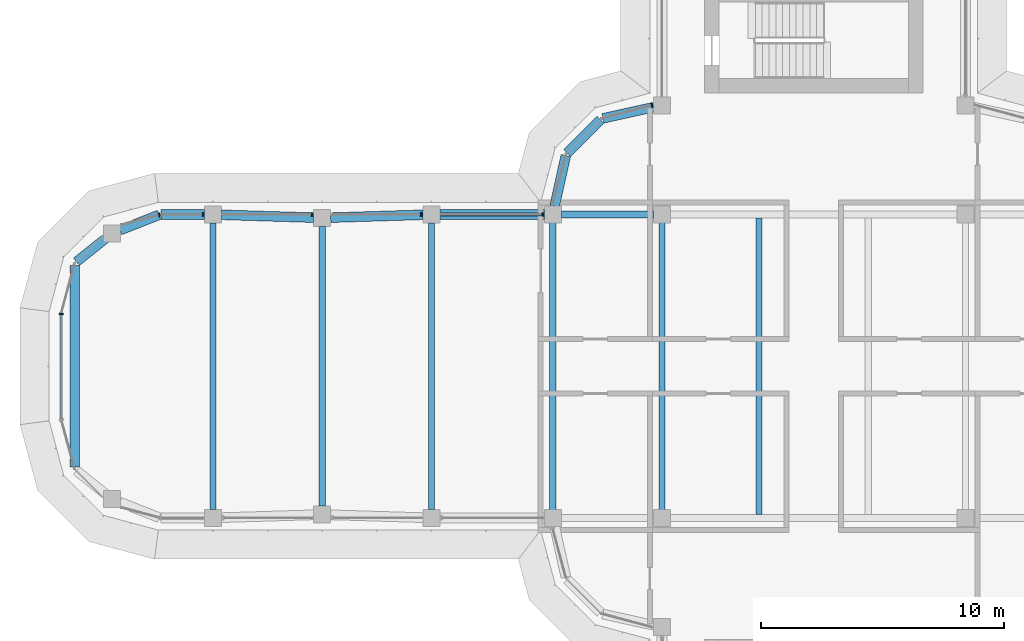
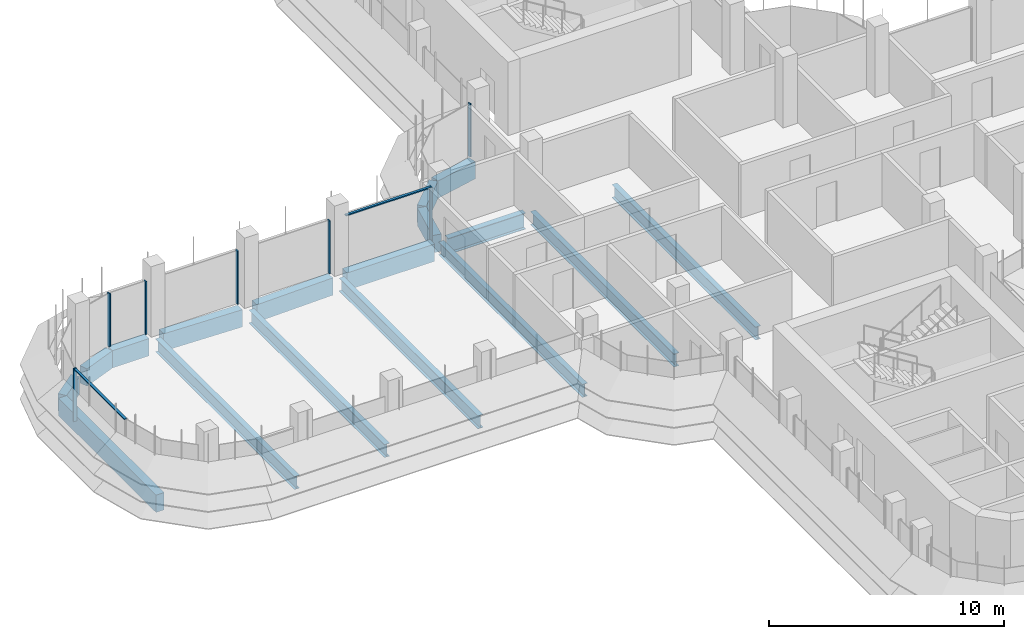
# One storey, part 6 of 19: 17 beams, 9 members, 4 elements without a shape of their own.
"""IFC4 building model written with IfcOpenShell, lengths in metres."""

from ifc_helpers import new_model, si_unit, direction, frame, origin, origin_2d, place, context, subcontext, project, spatial, polyline, rectangle, i_section, outline, extrude, source, transform, mapped, material, material_profile, profile_set, type_object, element, aggregate, save


model = new_model("IFC4")

# Units and contexts
model_context = context("Model", 3, precision=1e-05, world=origin(), true_north=direction((0.0, 1.0)))
body_context = subcontext(model_context, "Body", "Model", "MODEL_VIEW")
ifc_project = project(units=[si_unit("LENGTHUNIT", "METRE"), si_unit("AREAUNIT", "SQUARE_METRE"), si_unit("VOLUMEUNIT", "CUBIC_METRE"), si_unit("PLANEANGLEUNIT", "RADIAN"), si_unit("MASSUNIT", "GRAM", prefix="KILO")], contexts=[model_context])

# Site, building, storey
site_placement = place(None, origin())
site = spatial("IfcSite", under=ifc_project, at=site_placement, CompositionType="ELEMENT")
building_placement = place(site_placement, origin())
building = spatial("IfcBuilding", under=site, at=building_placement, Name="Zarbagh Exchange Tower", CompositionType="ELEMENT")
storey_placement = place(building_placement, frame((0.0, 0.0, 241.0)))
storey = spatial("IfcBuildingStorey", under=building, at=storey_placement, Name="L59", CompositionType="ELEMENT", Elevation=241.0)

# Beams
ifc_material_1 = material(Name="Steel ASTM A992 Gr 50", Category="steel")
ifc_material_profile_1 = material_profile(ifc_material_1, i_section(OverallWidth=0.25390625, OverallDepth=0.67822265625, WebThickness=0.01171875, FlangeThickness=0.016357421875, at=origin_2d()), Name="W27X84")
ifc_profile_set_1 = profile_set([ifc_material_profile_1], Name="Steel ASTM A992 Gr 50")
beam_type_1 = type_object("IfcBeamType", Name="Floor beam W27X84", PredefinedType="BEAM", material=ifc_profile_set_1)
for number, where, z_axis, x_axis, name in (
    (1, (-10.75, -6.10400390625, -0.489013671875), (0.0, 1.0, 0.0), (-1.0, 0.0, 0.0), "Steel floor beam"),
    (2, (-6.25, -6.10400390625, -0.489013671875), (0.0, 1.0, 0.0), (-1.0, 0.0, 0.0), "Steel floor beam"),
    (3, (-2.25, -6.10400390625, -0.489013671875), (0.0, 1.0, 0.0), (-1.0, 0.0, 0.0), "Steel floor beam"),
):
    element("IfcBeam", number, at=place(storey_placement, frame(where, z_axis=z_axis, x_axis=x_axis)), inside=storey, type_object=beam_type_1, Name=name, PredefinedType="BEAM", context=body_context, shape_type="SweptSolid", body=[
        extrude(i_section(OverallWidth=0.25390625, OverallDepth=0.67822265625, WebThickness=0.01171875, FlangeThickness=0.016357421875, at=origin_2d()), origin(), (0.0, 0.0, 1.0), 12.2080078125),
    ])
beam_1_placement = place(storey_placement, frame((-15.75, -5.89990234375, -0.489013671875), z_axis=(0.0, 1.0, 0.0), x_axis=(-1.0, 0.0, 0.0)))
element("IfcBeam", 4, at=beam_1_placement, inside=storey, type_object=beam_type_1, Name="Steel floor beam", PredefinedType="BEAM", context=body_context, shape_type="SweptSolid", body=[
    extrude(i_section(OverallWidth=0.25390625, OverallDepth=0.67822265625, WebThickness=0.01171875, FlangeThickness=0.016357421875, at=origin_2d()), origin(), (0.0, 0.0, 1.0), 11.7998046875),
])
beam_2_placement = place(storey_placement, frame((-20.25, -5.760009765625, -0.489013671875), z_axis=(0.0, 1.0, 0.0), x_axis=(-1.0, 0.0, 0.0)))
element("IfcBeam", 5, at=beam_2_placement, inside=storey, type_object=beam_type_1, Name="Steel floor beam", PredefinedType="BEAM", context=body_context, shape_type="SweptSolid", body=[
    extrude(i_section(OverallWidth=0.25390625, OverallDepth=0.67822265625, WebThickness=0.01171875, FlangeThickness=0.016357421875, at=origin_2d()), origin(), (0.0, 0.0, 1.0), 11.52001953125),
])
beam_3_placement = place(storey_placement, frame((-24.75, -5.89990234375, -0.489013671875), z_axis=(0.0, 1.0, 0.0), x_axis=(-1.0, 0.0, 0.0)))
element("IfcBeam", 6, at=beam_3_placement, inside=storey, type_object=beam_type_1, Name="Steel floor beam", PredefinedType="BEAM", context=body_context, shape_type="SweptSolid", body=[
    extrude(i_section(OverallWidth=0.25390625, OverallDepth=0.67822265625, WebThickness=0.01171875, FlangeThickness=0.016357421875, at=origin_2d()), origin(), (0.0, 0.0, 1.0), 11.7998046875),
])
ifc_material_profile_2 = material_profile(ifc_material_1, i_section(OverallWidth=0.2919921875, OverallDepth=0.835693359375, WebThickness=0.013916015625, FlangeThickness=0.018798828125, at=origin_2d()), Name="W33X118")
ifc_profile_set_2 = profile_set([ifc_material_profile_2], Name="Steel ASTM A992 Gr 50")
beam_type_2 = type_object("IfcBeamType", Name="Floor girder W33X118", PredefinedType="BEAM", material=ifc_profile_set_2)
beam_4_placement = place(storey_placement, frame((-10.39990234375, 6.25, -0.56787109375), z_axis=(1.0, 0.0, 0.0), x_axis=(0.0, 1.0, 0.0)))
element("IfcBeam", 7, at=beam_4_placement, inside=storey, type_object=beam_type_2, Name="Steel girder", PredefinedType="BEAM", context=body_context, shape_type="SweptSolid", body=[
    extrude(i_section(OverallWidth=0.2919921875, OverallDepth=0.835693359375, WebThickness=0.013916015625, FlangeThickness=0.018798828125, at=origin_2d()), origin(), (0.0, 0.0, 1.0), 3.7998046875),
])
ifc_material_2 = material(Name="Concrete C50/60", Category="concrete")
ifc_material_profile_3 = material_profile(ifc_material_2, rectangle(XDim=0.39990234375, YDim=0.89990234375, at=origin_2d()), Name="RC spandrel beam 400 x 900 C50/60")
ifc_profile_set_3 = profile_set([ifc_material_profile_3], Name="Concrete C50/60")
beam_type_3 = type_object("IfcBeamType", Name="RC spandrel beam 400 x 900 C50/60", PredefinedType="SPANDREL", material=ifc_profile_set_3)
beam_5_placement = place(storey_placement, frame((-30.44873046875, -4.14501953125, -0.60009765625), z_axis=(0.0, 1.0, 0.0), x_axis=(-1.0, 0.0, 0.0)))
element("IfcBeam", 8, at=beam_5_placement, inside=storey, type_object=beam_type_3, Name="RC spandrel beam", PredefinedType="SPANDREL", context=body_context, shape_type="SweptSolid", body=[
    extrude(rectangle(XDim=0.39990234375, YDim=0.89990234375, at=origin_2d()), origin(), (0.0, 0.0, 1.0), 8.2900390625),
])
beam_6_placement = place(storey_placement, frame((-30.373779296875, 4.30126953125, -0.60009765625), z_axis=(0.780634897504, 0.62498732531, 0.0), x_axis=(-0.62498732531, 0.780634897504, 0.0)))
element("IfcBeam", 9, at=beam_6_placement, inside=storey, type_object=beam_type_3, Name="RC spandrel beam", PredefinedType="SPANDREL", context=body_context, shape_type="SweptSolid", body=[
    extrude(rectangle(XDim=0.39990234375, YDim=0.89990234375, at=origin_2d()), origin(), (0.0, 0.0, 1.0), 1.52783203125),
])
beam_7_placement = place(storey_placement, frame((-28.582275390625, 5.602783203125, -0.60009765625), z_axis=(0.930809711446, 0.365504146457, 0.0), x_axis=(-0.365504146457, 0.930809711446, 0.0)))
element("IfcBeam", 10, at=beam_7_placement, inside=storey, type_object=beam_type_3, Name="RC spandrel beam", PredefinedType="SPANDREL", context=body_context, shape_type="SweptSolid", body=[
    extrude(rectangle(XDim=0.39990234375, YDim=0.89990234375, at=origin_2d()), origin(), (0.0, 0.0, 1.0), 1.732666015625),
])
beam_8_placement = place(storey_placement, frame((-26.896240234375, 6.25, -0.60009765625), z_axis=(1.0, 0.0, 0.0), x_axis=(0.0, 1.0, 0.0)))
element("IfcBeam", 11, at=beam_8_placement, inside=storey, type_object=beam_type_3, Name="RC spandrel beam", PredefinedType="SPANDREL", context=body_context, shape_type="SweptSolid", body=[
    extrude(rectangle(XDim=0.39990234375, YDim=0.89990234375, at=origin_2d()), origin(), (0.0, 0.0, 1.0), 1.796142578125),
])
for number, where, z_axis, x_axis, name in (
    (12, (-24.400146484375, 6.239013671875, -0.60009765625), (0.999516950199, -0.031078389046, 0.0), (0.031078389046, 0.999516950199, 0.0), "RC spandrel beam"),
    (13, (-19.900146484375, 6.120849609375, -0.60009765625), (0.999516950199, 0.031078389046, 0.0), (-0.031078389046, 0.999516950199, 0.0), "RC spandrel beam"),
):
    element("IfcBeam", number, at=place(storey_placement, frame(where, z_axis=z_axis, x_axis=x_axis)), inside=storey, type_object=beam_type_3, Name=name, PredefinedType="SPANDREL", context=body_context, shape_type="SweptSolid", body=[
        extrude(rectangle(XDim=0.39990234375, YDim=0.89990234375, at=origin_2d()), origin(), (0.0, 0.0, 1.0), 3.80224609375),
    ])
beam_9_placement = place(storey_placement, frame((-15.39990234375, 6.25, -0.60009765625), z_axis=(1.0, 0.0, 0.0), x_axis=(0.0, 1.0, 0.0)))
element("IfcBeam", 14, at=beam_9_placement, inside=storey, type_object=beam_type_3, Name="RC spandrel beam", PredefinedType="SPANDREL", context=body_context, shape_type="SweptSolid", body=[
    extrude(rectangle(XDim=0.39990234375, YDim=0.89990234375, at=origin_2d()), origin(), (0.0, 0.0, 1.0), 4.2998046875),
])
beam_10_placement = place(storey_placement, frame((-10.67431640625, 6.591796875, -0.60009765625), z_axis=(0.216013551096, 0.97639036545, 0.0), x_axis=(-0.97639036545, 0.216013551096, 0.0)))
element("IfcBeam", 15, at=beam_10_placement, inside=storey, type_object=beam_type_3, Name="RC spandrel beam", PredefinedType="SPANDREL", context=body_context, shape_type="SweptSolid", body=[
    extrude(rectangle(XDim=0.39990234375, YDim=0.89990234375, at=origin_2d()), origin(), (0.0, 0.0, 1.0), 2.142822265625),
])
beam_11_placement = place(storey_placement, frame((-10.15771484375, 8.782470703125, -0.60009765625), z_axis=(0.707106781187, 0.707106781187, 0.0), x_axis=(-0.707106781187, 0.707106781187, 0.0)))
element("IfcBeam", 16, at=beam_11_placement, inside=storey, type_object=beam_type_3, Name="RC spandrel beam", PredefinedType="SPANDREL", context=body_context, shape_type="SweptSolid", body=[
    extrude(rectangle(XDim=0.39990234375, YDim=0.89990234375, at=origin_2d()), origin(), (0.0, 0.0, 1.0), 1.94482421875),
])
beam_12_placement = place(storey_placement, frame((-8.68408203125, 10.21142578125, -0.60009765625), z_axis=(0.97639036545, 0.216013551096, 0.0), x_axis=(-0.216013551096, 0.97639036545, 0.0)))
element("IfcBeam", 17, at=beam_12_placement, inside=storey, type_object=beam_type_3, Name="RC spandrel beam", PredefinedType="SPANDREL", context=body_context, shape_type="SweptSolid", body=[
    extrude(rectangle(XDim=0.39990234375, YDim=0.89990234375, at=origin_2d()), origin(), (0.0, 0.0, 1.0), 2.142822265625),
])

# Curtain wall, member
ifc_material_3 = material(Name="Anodised aluminium frame and glazing", Category="aluminium")
curtain_wall_type = type_object("IfcCurtainWallType", Name="CWB Ribbon glazing, upper zones", PredefinedType="NOTDEFINED", material=ifc_material_3)
curtain_wall_1_placement = place(storey_placement, origin())
curtain_wall_1 = element("IfcCurtainWall", 18, at=curtain_wall_1_placement, inside=storey, type_object=curtain_wall_type, Name="CWB29 curtain wall", PredefinedType="NOTDEFINED")
ifc_material_4 = material(Name="Anodised aluminium frame", Category="aluminium")
member_type_1 = type_object("IfcMemberType", Name="MUB Mullion, anodised aluminium frame", PredefinedType="MULLION", material=ifc_material_4)
shared_shape_1 = source(origin(), body_context, "Body", "SweptSolid", [
    extrude(outline(polyline([(0.0, -0.080078125), (0.06005859375, -0.080078125), (0.06005859375, 0.080078125), (0.0, 0.080078125), (0.0, -0.080078125)])), origin(), (0.0, 0.0, 1.0), 2.75),
])
placement = place(storey_placement, origin())
member_1 = element("IfcMember", 19, at=placement, type_object=member_type_1, Name="CWB29 mullion 1.1", PredefinedType="MULLION", context=body_context, shape_type="MappedRepresentation", body=[
    mapped(shared_shape_1, transform((-6.64013671875, 10.76171875, 0.0), x_axis=(-0.965924289636, -0.258824779902, 0.0), y_axis=(0.258824779902, -0.965924289636, 0.0), z_axis=(0.0, 0.0, 1.0))),
])
aggregate(curtain_wall_1, [member_1])

# Curtain wall, members
curtain_wall_2_placement = place(storey_placement, origin())
curtain_wall_2 = element("IfcCurtainWall", 20, at=curtain_wall_2_placement, inside=storey, type_object=curtain_wall_type, Name="CWB58 curtain wall", PredefinedType="NOTDEFINED")
member_2 = element("IfcMember", 21, at=placement, type_object=member_type_1, Name="CWB58 mullion 1.1", PredefinedType="MULLION", context=body_context, shape_type="MappedRepresentation", body=[
    mapped(shared_shape_1, transform((-11.14013671875, 6.25, 0.0), x_axis=(-1.0, 0.0, 0.0), y_axis=(0.0, -1.0, 0.0), z_axis=(0.0, 0.0, 1.0))),
])
member_3 = element("IfcMember", 22, at=placement, type_object=member_type_1, Name="CWB58 mullion 2.1", PredefinedType="MULLION", context=body_context, shape_type="MappedRepresentation", body=[
    mapped(shared_shape_1, transform((-16.14013671875, 6.25, 0.0), x_axis=(-1.0, 0.0, 0.0), y_axis=(0.0, -1.0, 0.0), z_axis=(0.0, 0.0, 1.0))),
])
member_4 = element("IfcMember", 23, at=placement, type_object=member_type_1, Name="CWB58 mullion 3.1", PredefinedType="MULLION", context=body_context, shape_type="MappedRepresentation", body=[
    mapped(shared_shape_1, transform((-20.64013671875, 6.25, 0.0), x_axis=(-1.0, 0.0, 0.0), y_axis=(0.0, -1.0, 0.0), z_axis=(0.0, 0.0, 1.0))),
])
member_5 = element("IfcMember", 24, at=placement, type_object=member_type_1, Name="CWB58 mullion 4.1", PredefinedType="MULLION", context=body_context, shape_type="MappedRepresentation", body=[
    mapped(shared_shape_1, transform((-25.14013671875, 6.25, 0.0), x_axis=(-1.0, 0.0, 0.0), y_axis=(0.0, -1.0, 0.0), z_axis=(0.0, 0.0, 1.0))),
])

# Curtain wall, member
curtain_wall_3_placement = place(storey_placement, origin())
curtain_wall_3 = element("IfcCurtainWall", 25, at=curtain_wall_3_placement, inside=storey, type_object=curtain_wall_type, Name="CWB59 curtain wall", PredefinedType="NOTDEFINED")
member_6 = element("IfcMember", 26, at=placement, type_object=member_type_1, Name="CWB59 mullion 1.1", PredefinedType="MULLION", context=body_context, shape_type="MappedRepresentation", body=[
    mapped(shared_shape_1, transform((-26.93408203125, 6.25, 0.0), x_axis=(-0.965924289636, -0.258824779902, 0.0), y_axis=(0.258824779902, -0.965924289636, 0.0), z_axis=(0.0, 0.0, 1.0))),
])
aggregate(curtain_wall_3, [member_6])

# Curtain wall, members
curtain_wall_4_placement = place(storey_placement, origin())
curtain_wall_4 = element("IfcCurtainWall", 27, at=curtain_wall_4_placement, inside=storey, type_object=curtain_wall_type, Name="CWB66 curtain wall", PredefinedType="NOTDEFINED")
member_7 = element("IfcMember", 28, at=placement, type_object=member_type_1, Name="CWB66 mullion 1.1", PredefinedType="MULLION", context=body_context, shape_type="MappedRepresentation", body=[
    mapped(shared_shape_1, transform((-31.0, 2.18408203125, 0.0), x_axis=(0.0, -1.0, 0.0), y_axis=(1.0, 0.0, 0.0), z_axis=(0.0, 0.0, 1.0))),
])
member_type_2 = type_object("IfcMemberType", Name="TRB Transom, anodised aluminium frame", PredefinedType="USERDEFINED", material=ifc_material_4)
shared_shape_2 = source(origin(), body_context, "Body", "SweptSolid", [
    extrude(outline(polyline([(-0.06005859375, -0.06005859375), (0.0, -0.06005859375), (0.0, 0.06005859375), (-0.06005859375, 0.06005859375), (-0.06005859375, -0.06005859375)])), origin(), (0.0, 0.0, 1.0), 4.308349609375),
])
member_8 = element("IfcMember", 29, at=placement, type_object=member_type_2, Name="CWB66 transom 1.1", ObjectType="TRANSOM", PredefinedType="USERDEFINED", context=body_context, shape_type="MappedRepresentation", body=[
    mapped(shared_shape_2, transform((-31.0, 2.124267578125, 2.75), x_axis=(0.0, 0.0, 1.0), y_axis=(-1.0, 0.0, 0.0), z_axis=(0.0, -1.0, 0.0))),
])
aggregate(curtain_wall_4, [member_7, member_8])

# Member
shared_shape_3 = source(origin(), body_context, "Body", "SweptSolid", [
    extrude(outline(polyline([(-0.06005859375, -0.06005859375), (0.0, -0.06005859375), (0.0, 0.06005859375), (-0.06005859375, 0.06005859375), (-0.06005859375, -0.06005859375)])), origin(), (0.0, 0.0, 1.0), 4.159912109375),
])
member_9 = element("IfcMember", 30, at=placement, type_object=member_type_2, Name="CWB58 transom 1.1", ObjectType="TRANSOM", PredefinedType="USERDEFINED", context=body_context, shape_type="MappedRepresentation", body=[
    mapped(shared_shape_3, transform((-11.199951171875, 6.25, 2.75), x_axis=(0.0, 0.0, 1.0), y_axis=(0.0, 1.0, 0.0), z_axis=(-1.0, 0.0, 0.0))),
])

aggregate(curtain_wall_2, [member_2, member_9, member_3, member_4, member_5])

save(model, "model.ifc")
